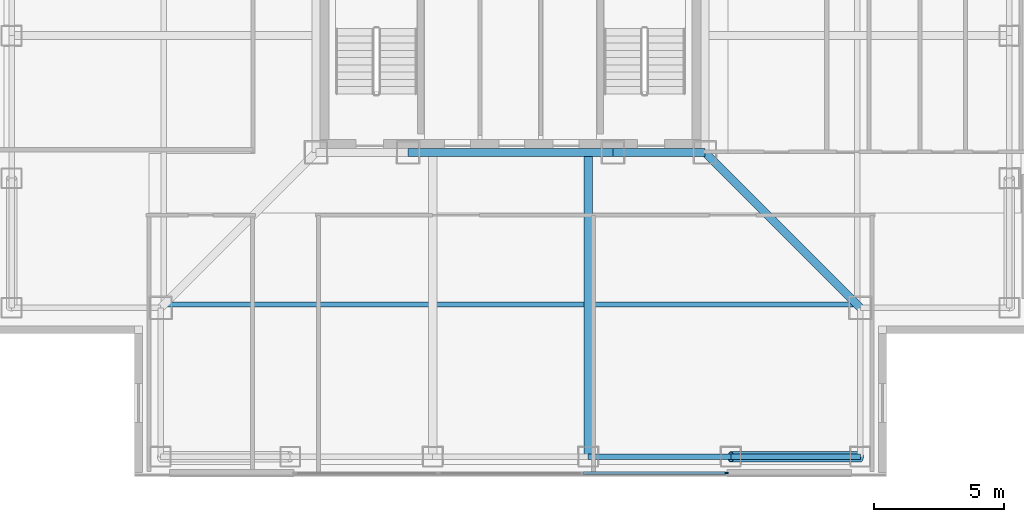
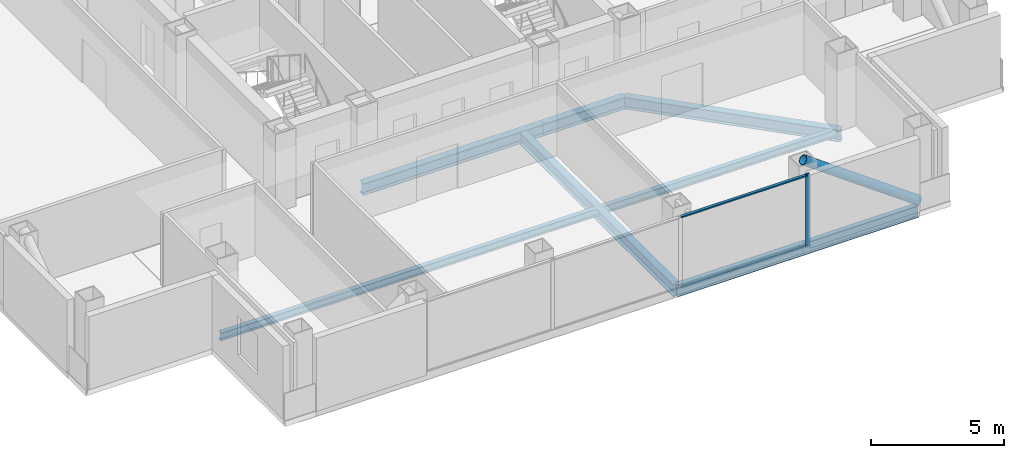
# One storey, part 3 of 17: 7 beams, 4 members, 1 element without a shape of its own.
"""IFC4 building model written with IfcOpenShell, lengths in metres."""

from ifc_helpers import new_model, si_unit, direction, frame, origin, origin_2d, place, context, subcontext, project, spatial, rectangle, hollow_circle, i_section, extrude, material, layer, layer_set, material_profile, profile_set, type_object, element, aggregate, save


model = new_model("IFC4")

# Units and contexts
model_context = context("Model", 3, precision=1e-05, world=origin(), true_north=direction((0.0, 1.0)))
body_context = subcontext(model_context, "Body", "Model", "MODEL_VIEW")
ifc_project = project(units=[si_unit("LENGTHUNIT", "METRE"), si_unit("AREAUNIT", "SQUARE_METRE"), si_unit("VOLUMEUNIT", "CUBIC_METRE"), si_unit("PLANEANGLEUNIT", "RADIAN"), si_unit("MASSUNIT", "GRAM", prefix="KILO")], contexts=[model_context])

# Site, building, storey
site_placement = place(None, origin())
site = spatial("IfcSite", under=ifc_project, at=site_placement, CompositionType="ELEMENT")
building_placement = place(site_placement, origin())
building = spatial("IfcBuilding", under=site, at=building_placement, Name="Trevonay Congress Spire", CompositionType="ELEMENT")
storey_placement = place(building_placement, frame((0.0, 0.0, 191.39990234375)))
storey = spatial("IfcBuildingStorey", under=building, at=storey_placement, Name="L49", CompositionType="ELEMENT", Elevation=191.39990234375)

# Beams
ifc_material_1 = material(Name="Steel ASTM A572 Grade 50", Category="steel")
ifc_material_profile_1 = material_profile(ifc_material_1, i_section(OverallWidth=0.31201171875, OverallDepth=0.54296875, WebThickness=0.0126953125, FlangeThickness=0.020263671875, FilletRadius=0.014892578125, at=origin_2d()), Name="W530x150")
ifc_profile_set_1 = profile_set([ifc_material_profile_1], Name="Steel ASTM A572 Grade 50")
beam_type_1 = type_object("IfcBeamType", Name="BM-GIRD-W530X150", PredefinedType="BEAM", material=ifc_profile_set_1)
beam_1_placement = place(storey_placement, frame((-3.949951171875, -7.5, -0.511474609375), z_axis=(1.0, 0.0, 0.0), x_axis=(0.0, 1.0, 0.0)))
element("IfcBeam", 1, at=beam_1_placement, inside=storey, type_object=beam_type_1, Name="L49 structural beam BM-L49-CR-S2", PredefinedType="BEAM", context=body_context, shape_type="SweptSolid", body=[
    extrude(i_section(OverallWidth=0.31201171875, OverallDepth=0.54296875, WebThickness=0.0126953125, FlangeThickness=0.020263671875, FilletRadius=0.014892578125, at=origin_2d()), origin(), (0.0, 0.0, 1.0), 7.89990234375),
])
beam_2_placement = place(storey_placement, frame((3.949951171875, -7.5, -0.511474609375), z_axis=(1.0, 0.0, 0.0), x_axis=(0.0, 1.0, 0.0)))
element("IfcBeam", 2, at=beam_2_placement, inside=storey, type_object=beam_type_1, Name="L49 structural beam BM-L49-CR-S3", PredefinedType="BEAM", context=body_context, shape_type="SweptSolid", body=[
    extrude(i_section(OverallWidth=0.31201171875, OverallDepth=0.54296875, WebThickness=0.0126953125, FlangeThickness=0.020263671875, FilletRadius=0.014892578125, at=origin_2d()), origin(), (0.0, 0.0, 1.0), 3.550048828125),
])
beam_3_placement = place(storey_placement, frame((7.5, -7.5, -0.511474609375), z_axis=(0.707106781187, -0.707106781187, 0.0), x_axis=(0.707106781187, 0.707106781187, 0.0)))
element("IfcBeam", 3, at=beam_3_placement, inside=storey, type_object=beam_type_1, Name="L49 structural beam BM-L49-CDSE", PredefinedType="BEAM", context=body_context, shape_type="SweptSolid", body=[
    extrude(i_section(OverallWidth=0.31201171875, OverallDepth=0.54296875, WebThickness=0.0126953125, FlangeThickness=0.020263671875, FilletRadius=0.014892578125, at=origin_2d()), origin(), (0.0, 0.0, 1.0), 8.4853515625),
])
beam_4_placement = place(storey_placement, frame((3.0, -7.5, -0.511474609375), z_axis=(0.0, -1.0, 0.0), x_axis=(1.0, 0.0, 0.0)))
element("IfcBeam", 4, at=beam_4_placement, inside=storey, type_object=beam_type_1, Name="L49 structural beam BM-L49-GS-P", PredefinedType="BEAM", context=body_context, shape_type="SweptSolid", body=[
    extrude(i_section(OverallWidth=0.31201171875, OverallDepth=0.54296875, WebThickness=0.0126953125, FlangeThickness=0.020263671875, FilletRadius=0.014892578125, at=origin_2d()), origin(), (0.0, 0.0, 1.0), 11.75),
])
ifc_material_profile_2 = material_profile(ifc_material_1, i_section(OverallWidth=0.2119140625, OverallDepth=0.5439453125, WebThickness=0.01318359375, FlangeThickness=0.021240234375, FilletRadius=0.014892578125, at=origin_2d()), Name="W530x123")
ifc_profile_set_2 = profile_set([ifc_material_profile_2], Name="Steel ASTM A572 Grade 50")
beam_type_2 = type_object("IfcBeamType", Name="BM-RING-W530X123", PredefinedType="BEAM", material=ifc_profile_set_2)
beam_5_placement = place(storey_placement, frame((3.0, -19.25, -0.511962890625), z_axis=(1.0, 0.0, 0.0), x_axis=(0.0, 1.0, 0.0)))
element("IfcBeam", 5, at=beam_5_placement, inside=storey, type_object=beam_type_2, Name="L49 structural beam BM-L49-PS4", PredefinedType="BEAM", context=body_context, shape_type="SweptSolid", body=[
    extrude(i_section(OverallWidth=0.2119140625, OverallDepth=0.5439453125, WebThickness=0.01318359375, FlangeThickness=0.021240234375, FilletRadius=0.014892578125, at=origin_2d()), origin(), (0.0, 0.0, 1.0), 5.5),
])
beam_6_placement = place(storey_placement, frame((8.5, -19.25, -0.511962890625), z_axis=(1.0, 0.0, 0.0), x_axis=(0.0, 1.0, 0.0)))
element("IfcBeam", 6, at=beam_6_placement, inside=storey, type_object=beam_type_2, Name="L49 structural beam BM-L49-PS5", PredefinedType="BEAM", context=body_context, shape_type="SweptSolid", body=[
    extrude(i_section(OverallWidth=0.2119140625, OverallDepth=0.5439453125, WebThickness=0.01318359375, FlangeThickness=0.021240234375, FilletRadius=0.014892578125, at=origin_2d()), origin(), (0.0, 0.0, 1.0), 5.0),
])

# Curtain wall, members
ifc_material_2 = material(Name="Pale Anodised Aluminium EN AW-6063-T6", Category="aluminium")
ifc_layer = layer(ifc_material_2, 0.169921875, Name="Pale Anodised Aluminium EN AW-6063-T6")
ifc_layer_set = layer_set([ifc_layer], Name="Pale Anodised Aluminium EN AW-6063-T6")
curtain_wall_type = type_object("IfcCurtainWallType", Name="CW-SYS04-CORP-PALE-METAL", PredefinedType="NOTDEFINED", material=ifc_layer_set)
curtain_wall_placement = place(storey_placement, origin())
curtain_wall = element("IfcCurtainWall", 7, at=curtain_wall_placement, inside=storey, type_object=curtain_wall_type, Name="L49 S unitised curtain wall", PredefinedType="NOTDEFINED")
ifc_material_profile_3 = material_profile(ifc_material_2, rectangle(XDim=0.06005859375, YDim=0.159912109375, at=origin_2d()), Name="CW-MULLION-160-ALUMINIUM")
ifc_profile_set_3 = profile_set([ifc_material_profile_3], Name="Pale Anodised Aluminium EN AW-6063-T6")
member_type_1 = type_object("IfcMemberType", Name="CW-MULLION-160-ALUMINIUM", PredefinedType="MULLION", material=ifc_profile_set_3)
member_1_placement = place(storey_placement, frame((8.320068359375, -19.8798828125, 0.0), z_axis=(0.0, 0.0, 1.0), x_axis=(0.0, 1.0, 0.0)))
member_1 = element("IfcMember", 8, at=member_1_placement, type_object=member_type_1, Name="CW04 mullion 4", PredefinedType="MULLION", context=body_context, shape_type="SweptSolid", body=[
    extrude(rectangle(XDim=0.06005859375, YDim=0.159912109375, at=origin_2d()), origin(), (0.0, 0.0, 1.0), 3.360107421875),
])
ifc_material_profile_4 = material_profile(ifc_material_2, rectangle(XDim=0.1201171875, YDim=0.06005859375, at=origin_2d()), Name="CW-TRANSOM-120-ALUMINIUM")
ifc_profile_set_4 = profile_set([ifc_material_profile_4], Name="Pale Anodised Aluminium EN AW-6063-T6")
member_type_2 = type_object("IfcMemberType", Name="CW-TRANSOM-120-ALUMINIUM", PredefinedType="USERDEFINED", material=ifc_profile_set_4)
member_2_placement = place(storey_placement, frame((2.813232421875, -19.8798828125, 0.06005859375), z_axis=(1.0, 0.0, 0.0), x_axis=(0.0, 1.0, 0.0)))
member_2 = element("IfcMember", 9, at=member_2_placement, type_object=member_type_2, Name="CW04 transom 3.1", ObjectType="TRANSOM", PredefinedType="USERDEFINED", context=body_context, shape_type="SweptSolid", body=[
    extrude(rectangle(XDim=0.1201171875, YDim=0.06005859375, at=origin_2d()), origin(), (0.0, 0.0, 1.0), 5.476806640625),
])
member_3_placement = place(storey_placement, frame((2.813232421875, -19.8798828125, 3.300048828125), z_axis=(1.0, 0.0, 0.0), x_axis=(0.0, 1.0, 0.0)))
member_3 = element("IfcMember", 10, at=member_3_placement, type_object=member_type_2, Name="CW04 transom 3.2", ObjectType="TRANSOM", PredefinedType="USERDEFINED", context=body_context, shape_type="SweptSolid", body=[
    extrude(rectangle(XDim=0.1201171875, YDim=0.06005859375, at=origin_2d()), origin(), (0.0, 0.0, 1.0), 5.476806640625),
])
aggregate(curtain_wall, [member_1, member_2, member_3])

# Beam
ifc_material_profile_5 = material_profile(ifc_material_1, i_section(OverallWidth=0.205078125, OverallDepth=0.35400390625, WebThickness=0.009521484375, FlangeThickness=0.016845703125, FilletRadius=0.011962890625, at=origin_2d()), Name="W360x79")
ifc_profile_set_5 = profile_set([ifc_material_profile_5], Name="Steel ASTM A572 Grade 50")
beam_type_3 = type_object("IfcBeamType", Name="JS-COMP-W360X79", PredefinedType="JOIST", material=ifc_profile_set_5)
beam_7_placement = place(storey_placement, frame((-13.5, -13.375, -0.4169921875), z_axis=(1.0, 0.0, 0.0), x_axis=(0.0, 1.0, 0.0)))
element("IfcBeam", 11, at=beam_7_placement, inside=storey, type_object=beam_type_3, Name="L49 structural beam JS-L49-RING-S", PredefinedType="JOIST", context=body_context, shape_type="SweptSolid", body=[
    extrude(i_section(OverallWidth=0.205078125, OverallDepth=0.35400390625, WebThickness=0.009521484375, FlangeThickness=0.016845703125, FilletRadius=0.011962890625, at=origin_2d()), origin(), (0.0, 0.0, 1.0), 27.0),
])

# Member
ifc_material_3 = material(Name="Steel ASTM A500 Grade C", Category="steel")
ifc_material_profile_6 = material_profile(ifc_material_3, hollow_circle(Radius=0.203125, WallThickness=0.02001953125, at=origin_2d()), Name="CHS 406.4x20")
ifc_profile_set_6 = profile_set([ifc_material_profile_6], Name="Steel ASTM A500 Grade C")
member_type_3 = type_object("IfcMemberType", Name="MBR-TUBE-CHS406", PredefinedType="BRACE", material=ifc_profile_set_6)
member_4_placement = place(storey_placement, frame((13.5, -19.25, -0.0498046875), z_axis=(-0.811545615365, 0.0, 0.584289067313), x_axis=(0.0, -1.0, 0.0)))
element("IfcMember", 12, at=member_4_placement, inside=storey, type_object=member_type_3, Name="L49 perimeter braced-tube diagonal S4", PredefinedType="BRACE", context=body_context, shape_type="SweptSolid", body=[
    extrude(hollow_circle(Radius=0.203125, WallThickness=0.02001953125, at=origin_2d()), origin(), (0.0, 0.0, 1.0), 6.1611328125),
])

save(model, "model.ifc")
